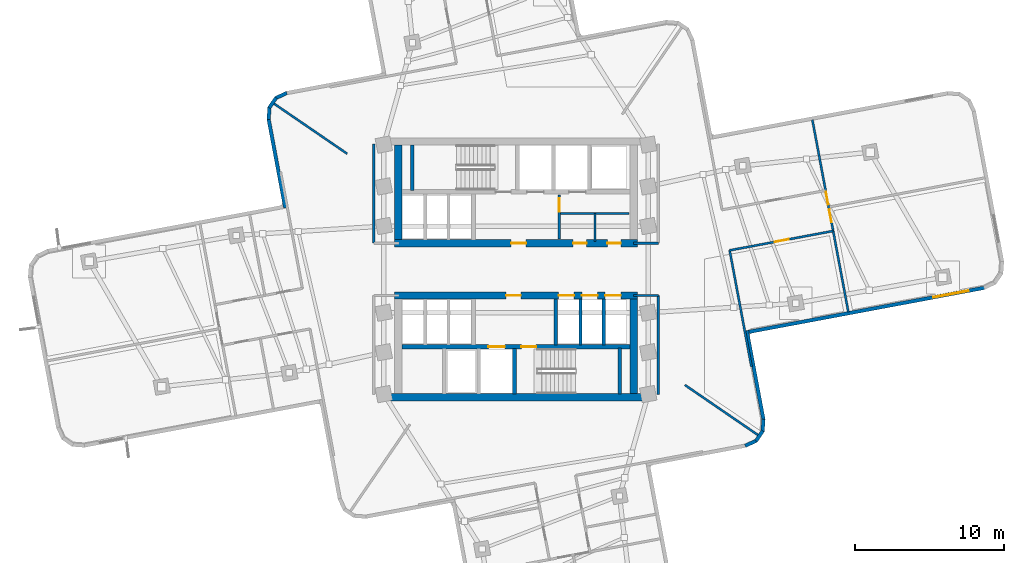
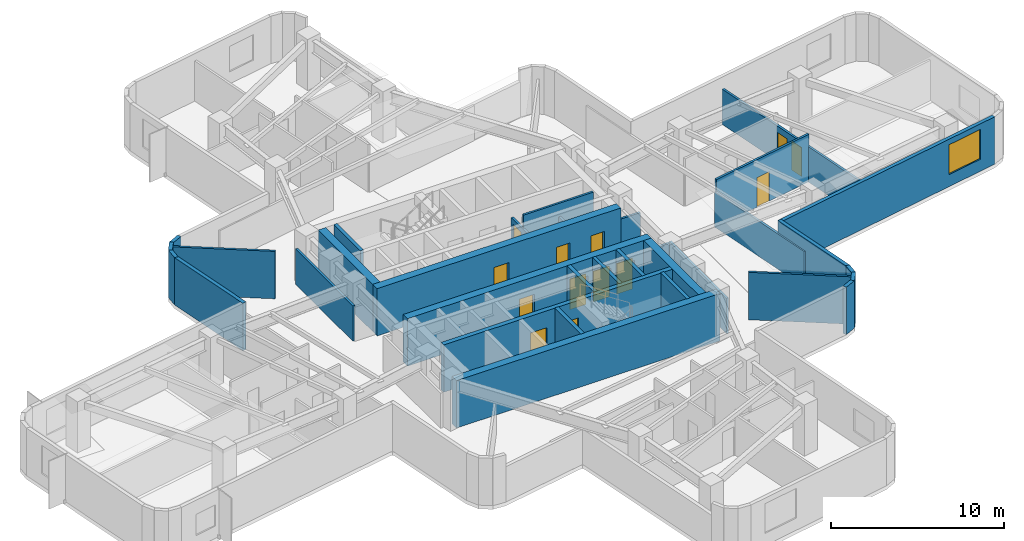
# One storey, part 4 of 9: 33 walls, 13 doors, 1 window, 14 openings.
"""IFC4 building model written with IfcOpenShell, lengths in metres."""

from ifc_helpers import new_model, si_unit, direction, frame, frame_2d, origin, place, context, subcontext, project, spatial, rectangle, extrude, material, layer, layer_set, type_object, element, fill, save


model = new_model("IFC4")

# Units and contexts
model_context = context("Model", 3, precision=1e-05, world=origin(), true_north=direction((0.0, 1.0)))
body_context = subcontext(model_context, "Body", "Model", "MODEL_VIEW")
ifc_project = project(units=[si_unit("LENGTHUNIT", "METRE"), si_unit("AREAUNIT", "SQUARE_METRE"), si_unit("VOLUMEUNIT", "CUBIC_METRE"), si_unit("PLANEANGLEUNIT", "RADIAN"), si_unit("MASSUNIT", "GRAM", prefix="KILO")], contexts=[model_context])

# Site, building, storey
site_placement = place(None, origin())
site = spatial("IfcSite", under=ifc_project, at=site_placement, CompositionType="ELEMENT")
building_placement = place(site_placement, origin())
building = spatial("IfcBuilding", under=site, at=building_placement, Name="Solmarez Civic Tower", CompositionType="ELEMENT")
storey_placement = place(building_placement, frame((0.0, 0.0, 100.080078125)))
storey = spatial("IfcBuildingStorey", under=building, at=storey_placement, Name="L26", CompositionType="ELEMENT", Elevation=100.080078125)

# Wall, openings, doors
ifc_material_1 = material(Name="Concrete C60/75", Category="concrete")
ifc_layer_1 = layer(ifc_material_1, 0.5)
ifc_layer_set_1 = layer_set([ifc_layer_1], Name="Concrete C60/75")
wall_type_1 = type_object("IfcWallType", Name="WALL-CORE-500", PredefinedType="SHEAR", material=ifc_layer_set_1)
wall_1_placement = place(storey_placement, frame((8.1201171875, 1.75, 0.0), z_axis=(0.0, 0.0, 1.0), x_axis=(-1.0, 0.0, 0.0)))
wall_1 = element("IfcWall", 1, at=wall_1_placement, inside=storey, type_object=wall_type_1, Name="L26 Split-Core Structural Wall NCW-S-L26", PredefinedType="SHEAR", context=body_context, shape_type="SweptSolid", body=[
    extrude(rectangle(XDim=16.240234375, YDim=0.5, at=frame_2d((8.1201171875, 0.0))), origin(), (0.0, 0.0, 1.0), 3.33984375),
])
opening_1_placement = place(wall_1_placement, frame((7.449951171875, 0.0, 0.0)))
opening_1 = element("IfcOpeningElement", 2, at=opening_1_placement, cuts=wall_1, Name="Opening D-04", PredefinedType="OPENING", context=body_context, shape_type="SweptSolid", body=[
    extrude(rectangle(XDim=1.0, YDim=2.10009765625, at=frame_2d((0.5, 1.050048828125))), frame((0.0, 0.260009765625, 0.0), z_axis=(0.0, -1.0, 0.0), x_axis=(1.0, 0.0, 0.0)), (0.0, 0.0, 1.0), 0.52001953125),
])
opening_2_placement = place(wall_1_placement, frame((3.39990234375, 0.0, 0.0)))
opening_2 = element("IfcOpeningElement", 3, at=opening_2_placement, cuts=wall_1, Name="Opening D-09", PredefinedType="OPENING", context=body_context, shape_type="SweptSolid", body=[
    extrude(rectangle(XDim=0.89990234375, YDim=2.06005859375, at=frame_2d((0.449951171875, 1.030029296875))), frame((0.0, 0.260009765625, 0.0), z_axis=(0.0, -1.0, 0.0), x_axis=(1.0, 0.0, 0.0)), (0.0, 0.0, 1.0), 0.52001953125),
])
opening_3_placement = place(wall_1_placement, frame((1.10009765625, 0.0, 0.0)))
opening_3 = element("IfcOpeningElement", 4, at=opening_3_placement, cuts=wall_1, Name="Opening D-09", PredefinedType="OPENING", context=body_context, shape_type="SweptSolid", body=[
    extrude(rectangle(XDim=0.89990234375, YDim=2.06005859375, at=frame_2d((0.449951171875, 1.030029296875))), frame((0.0, 0.260009765625, 0.0), z_axis=(0.0, -1.0, 0.0), x_axis=(1.0, 0.0, 0.0)), (0.0, 0.0, 1.0), 0.52001953125),
])
ifc_material_2 = material(Name="Steel-Faced Acoustic Fire Door", Category="steel")
door_type_1 = type_object("IfcDoorType", Name="DOOR-FD60-1000", OperationType="NOTDEFINED", PredefinedType="DOOR", material=ifc_material_2)
door_1_placement = place(opening_1_placement, origin())
door_1 = element("IfcDoor", 5, at=door_1_placement, inside=storey, type_object=door_type_1, Name="L26 North Firefighting Lobby Door", OperationType="SINGLE_SWING_LEFT", OverallHeight=2.10009765625, OverallWidth=1.0, PredefinedType="DOOR", context=body_context, shape_type="SweptSolid", body=[
    extrude(rectangle(XDim=1.0, YDim=2.10009765625, at=frame_2d((0.5, 1.050048828125))), frame((0.0, 0.02490234375, 0.0), z_axis=(0.0, -1.0, 0.0), x_axis=(1.0, 0.0, 0.0)), (0.0, 0.0, 1.0), 0.050048828125),
])
fill(opening_1, door_1)
ifc_material_3 = material(Name="Fire-Rated Service Core Door", Category="wood")
door_type_2 = type_object("IfcDoorType", Name="DOOR-FD60-900", OperationType="NOTDEFINED", PredefinedType="DOOR", material=ifc_material_3)
door_2_placement = place(opening_2_placement, origin())
door_2 = element("IfcDoor", 6, at=door_2_placement, inside=storey, type_object=door_type_2, Name="L26 Core WC Door", OperationType="SINGLE_SWING_LEFT", OverallHeight=2.06005859375, OverallWidth=0.89990234375, PredefinedType="DOOR", context=body_context, shape_type="SweptSolid", body=[
    extrude(rectangle(XDim=0.89990234375, YDim=2.06005859375, at=frame_2d((0.449951171875, 1.030029296875))), frame((0.0, 0.02490234375, 0.0), z_axis=(0.0, -1.0, 0.0), x_axis=(1.0, 0.0, 0.0)), (0.0, 0.0, 1.0), 0.050048828125),
])
fill(opening_2, door_2)
door_3_placement = place(opening_3_placement, origin())
door_3 = element("IfcDoor", 7, at=door_3_placement, inside=storey, type_object=door_type_2, Name="L26 Core CL Door", OperationType="SINGLE_SWING_RIGHT", OverallHeight=2.06005859375, OverallWidth=0.89990234375, PredefinedType="DOOR", context=body_context, shape_type="SweptSolid", body=[
    extrude(rectangle(XDim=0.89990234375, YDim=2.06005859375, at=frame_2d((0.449951171875, 1.030029296875))), frame((0.0, 0.02490234375, 0.0), z_axis=(0.0, -1.0, 0.0), x_axis=(1.0, 0.0, 0.0)), (0.0, 0.0, 1.0), 0.050048828125),
])
fill(opening_3, door_3)

# Walls
wall_2_placement = place(storey_placement, frame((-7.8701171875, 2.0, 0.0), z_axis=(0.0, 0.0, 1.0), x_axis=(0.0, 1.0, 0.0)))
element("IfcWall", 8, at=wall_2_placement, inside=storey, type_object=wall_type_1, Name="L26 Split-Core Structural Wall NCW-W-L26", PredefinedType="SHEAR", context=body_context, shape_type="SweptSolid", body=[
    extrude(rectangle(XDim=6.31005859375, YDim=0.5, at=frame_2d((3.155029296875, 0.0))), origin(), (0.0, 0.0, 1.0), 3.33984375),
])
wall_3_placement = place(storey_placement, frame((8.780029296875, -8.56005859375, 0.0), z_axis=(0.0, 0.0, 1.0), x_axis=(-1.0, 0.0, 0.0)))
element("IfcWall", 9, at=wall_3_placement, inside=storey, type_object=wall_type_1, Name="L26 Split-Core Structural Wall SCW-S-L26", PredefinedType="SHEAR", context=body_context, shape_type="SweptSolid", body=[
    extrude(rectangle(XDim=17.56005859375, YDim=0.5, at=frame_2d((8.780029296875, 0.0))), origin(), (0.0, 0.0, 1.0), 3.33984375),
])

# Wall, openings, doors
wall_4_placement = place(storey_placement, frame((-8.1201171875, -1.75, 0.0), z_axis=(0.0, 0.0, 1.0), x_axis=(1.0, 0.0, 0.0)))
wall_4 = element("IfcWall", 10, at=wall_4_placement, inside=storey, type_object=wall_type_1, Name="L26 Split-Core Structural Wall SCW-N-L26", PredefinedType="SHEAR", context=body_context, shape_type="SweptSolid", body=[
    extrude(rectangle(XDim=16.240234375, YDim=0.5, at=frame_2d((8.1201171875, 0.0))), origin(), (0.0, 0.0, 1.0), 3.33984375),
])
opening_4_placement = place(wall_4_placement, frame((7.449951171875, 0.0, 0.0)))
opening_4 = element("IfcOpeningElement", 11, at=opening_4_placement, cuts=wall_4, Name="Opening D-04", PredefinedType="OPENING", context=body_context, shape_type="SweptSolid", body=[
    extrude(rectangle(XDim=1.0, YDim=2.10009765625, at=frame_2d((0.5, 1.050048828125))), frame((0.0, 0.260009765625, 0.0), z_axis=(0.0, -1.0, 0.0), x_axis=(1.0, 0.0, 0.0)), (0.0, 0.0, 1.0), 0.52001953125),
])
opening_5_placement = place(wall_4_placement, frame((10.965087890625, 0.0, 0.0)))
opening_5 = element("IfcOpeningElement", 12, at=opening_5_placement, cuts=wall_4, Name="Opening LD-01", PredefinedType="OPENING", context=body_context, shape_type="SweptSolid", body=[
    extrude(rectangle(XDim=1.050048828125, YDim=2.14990234375, at=frame_2d((0.52490234375, 1.074951171875))), frame((0.0, 0.260009765625, 0.0), z_axis=(0.0, -1.0, 0.0), x_axis=(1.0, 0.0, 0.0)), (0.0, 0.0, 1.0), 0.52001953125),
])
opening_6_placement = place(wall_4_placement, frame((12.52490234375, 0.0, 0.0)))
opening_6 = element("IfcOpeningElement", 13, at=opening_6_placement, cuts=wall_4, Name="Opening LD-01", PredefinedType="OPENING", context=body_context, shape_type="SweptSolid", body=[
    extrude(rectangle(XDim=1.050048828125, YDim=2.14990234375, at=frame_2d((0.52490234375, 1.074951171875))), frame((0.0, 0.260009765625, 0.0), z_axis=(0.0, -1.0, 0.0), x_axis=(1.0, 0.0, 0.0)), (0.0, 0.0, 1.0), 0.52001953125),
])
opening_7_placement = place(wall_4_placement, frame((14.0849609375, 0.0, 0.0)))
opening_7 = element("IfcOpeningElement", 14, at=opening_7_placement, cuts=wall_4, Name="Opening LD-01", PredefinedType="OPENING", context=body_context, shape_type="SweptSolid", body=[
    extrude(rectangle(XDim=1.050048828125, YDim=2.14990234375, at=frame_2d((0.52490234375, 1.074951171875))), frame((0.0, 0.260009765625, 0.0), z_axis=(0.0, -1.0, 0.0), x_axis=(1.0, 0.0, 0.0)), (0.0, 0.0, 1.0), 0.52001953125),
])
door_4_placement = place(opening_4_placement, origin())
door_4 = element("IfcDoor", 15, at=door_4_placement, inside=storey, type_object=door_type_1, Name="L26 South Firefighting Lobby Door", OperationType="SINGLE_SWING_RIGHT", OverallHeight=2.10009765625, OverallWidth=1.0, PredefinedType="DOOR", context=body_context, shape_type="SweptSolid", body=[
    extrude(rectangle(XDim=1.0, YDim=2.10009765625, at=frame_2d((0.5, 1.050048828125))), frame((0.0, 0.02490234375, 0.0), z_axis=(0.0, -1.0, 0.0), x_axis=(1.0, 0.0, 0.0)), (0.0, 0.0, 1.0), 0.050048828125),
])
fill(opening_4, door_4)
ifc_material_4 = material(Name="Bronze Passenger Lift Landing Sliding Door", Category="aluminium")
door_type_3 = type_object("IfcDoorType", Name="DOOR-LD-PAX-1050", OperationType="DOUBLE_DOOR_SLIDING", PredefinedType="DOOR", material=ifc_material_4)
door_5_placement = place(opening_5_placement, origin())
door_5 = element("IfcDoor", 16, at=door_5_placement, inside=storey, type_object=door_type_3, Name="L26 Low-Rise Lift Landing Door PL-L1", OperationType="DOUBLE_DOOR_SLIDING", OverallHeight=2.14990234375, OverallWidth=1.050048828125, PredefinedType="DOOR", context=body_context, shape_type="SweptSolid", body=[
    extrude(rectangle(XDim=1.050048828125, YDim=2.14990234375, at=frame_2d((0.52490234375, 1.074951171875))), frame((0.0, 0.02490234375, 0.0), z_axis=(0.0, -1.0, 0.0), x_axis=(1.0, 0.0, 0.0)), (0.0, 0.0, 1.0), 0.050048828125),
])
fill(opening_5, door_5)
door_6_placement = place(opening_6_placement, origin())
door_6 = element("IfcDoor", 17, at=door_6_placement, inside=storey, type_object=door_type_3, Name="L26 Low-Rise Lift Landing Door PL-L2", OperationType="DOUBLE_DOOR_SLIDING", OverallHeight=2.14990234375, OverallWidth=1.050048828125, PredefinedType="DOOR", context=body_context, shape_type="SweptSolid", body=[
    extrude(rectangle(XDim=1.050048828125, YDim=2.14990234375, at=frame_2d((0.52490234375, 1.074951171875))), frame((0.0, 0.02490234375, 0.0), z_axis=(0.0, -1.0, 0.0), x_axis=(1.0, 0.0, 0.0)), (0.0, 0.0, 1.0), 0.050048828125),
])
fill(opening_6, door_6)
door_7_placement = place(opening_7_placement, origin())
door_7 = element("IfcDoor", 18, at=door_7_placement, inside=storey, type_object=door_type_3, Name="L26 Low-Rise Lift Landing Door PL-L3", OperationType="DOUBLE_DOOR_SLIDING", OverallHeight=2.14990234375, OverallWidth=1.050048828125, PredefinedType="DOOR", context=body_context, shape_type="SweptSolid", body=[
    extrude(rectangle(XDim=1.050048828125, YDim=2.14990234375, at=frame_2d((0.52490234375, 1.074951171875))), frame((0.0, 0.02490234375, 0.0), z_axis=(0.0, -1.0, 0.0), x_axis=(1.0, 0.0, 0.0)), (0.0, 0.0, 1.0), 0.050048828125),
])
fill(opening_7, door_7)

# Walls
wall_5_placement = place(storey_placement, frame((7.8701171875, -2.0, 0.0), z_axis=(0.0, 0.0, 1.0), x_axis=(0.0, -1.0, 0.0)))
element("IfcWall", 19, at=wall_5_placement, inside=storey, type_object=wall_type_1, Name="L26 Split-Core Structural Wall SCW-E-L26", PredefinedType="SHEAR", context=body_context, shape_type="SweptSolid", body=[
    extrude(rectangle(XDim=6.31005859375, YDim=0.5, at=frame_2d((3.155029296875, 0.0))), origin(), (0.0, 0.0, 1.0), 3.33984375),
])
ifc_material_5 = material(Name="Precast concrete C40/50", Category="concrete")
ifc_layer_2 = layer(ifc_material_5, 0.239990234375)
ifc_layer_set_2 = layer_set([ifc_layer_2], Name="Precast concrete C40/50")
wall_type_2 = type_object("IfcWallType", Name="WALL-EXT-240", PredefinedType="SOLIDWALL", material=ifc_layer_set_2)
wall_6_placement = place(storey_placement, frame((-15.449951171875, 4.113037109375, 0.0), z_axis=(0.0, 0.0, 1.0), x_axis=(-0.18406771587, 0.982913564854, 0.0)))
element("IfcWall", 20, at=wall_6_placement, inside=storey, type_object=wall_type_2, Name="L26 Exterior Precast Wall 13", PredefinedType="SOLIDWALL", context=body_context, shape_type="SweptSolid", body=[
    extrude(rectangle(XDim=6.07470703125, YDim=0.239990234375, at=frame_2d((3.037353515625, 0.0))), origin(), (0.0, 0.0, 1.0), 3.33984375),
])
wall_7_placement = place(storey_placement, frame((-16.56494140625, 10.033935546875, 0.0), z_axis=(0.0, 0.0, 1.0), x_axis=(0.077011179273, 0.997030229365, 0.0)))
element("IfcWall", 21, at=wall_7_placement, inside=storey, type_object=wall_type_2, Name="L26 Exterior Precast Wall 14", PredefinedType="SOLIDWALL", context=body_context, shape_type="SweptSolid", body=[
    extrude(rectangle(XDim=0.83056640625, YDim=0.239990234375, at=frame_2d((0.415283203125, 0.0))), origin(), (0.0, 0.0, 1.0), 3.33984375),
])
wall_8_placement = place(storey_placement, frame((-16.51708984375, 10.81591796875, 0.0), z_axis=(0.0, 0.0, 1.0), x_axis=(0.563941688624, 0.825814611055, 0.0)))
element("IfcWall", 22, at=wall_8_placement, inside=storey, type_object=wall_type_2, Name="L26 Exterior Precast Wall 15", PredefinedType="SOLIDWALL", context=body_context, shape_type="SweptSolid", body=[
    extrude(rectangle(XDim=0.81396484375, YDim=0.239990234375, at=frame_2d((0.406982421875, 0.0))), origin(), (0.0, 0.0, 1.0), 3.33984375),
])
wall_9_placement = place(storey_placement, frame((-16.094970703125, 11.4560546875, 0.0), z_axis=(0.0, 0.0, 1.0), x_axis=(0.902044756706, 0.431642510533, 0.0)))
element("IfcWall", 23, at=wall_9_placement, inside=storey, type_object=wall_type_2, Name="L26 Exterior Precast Wall 16", PredefinedType="SOLIDWALL", context=body_context, shape_type="SweptSolid", body=[
    extrude(rectangle(XDim=0.83154296875, YDim=0.239990234375, at=frame_2d((0.415771484375, 0.0))), origin(), (0.0, 0.0, 1.0), 3.33984375),
])

# Wall, opening, window
wall_10_placement = place(storey_placement, frame((31.37109375, -1.22998046875, 0.0), z_axis=(0.0, 0.0, 1.0), x_axis=(-0.982920382654, -0.18403130539, 0.0)))
wall_10 = element("IfcWall", 24, at=wall_10_placement, inside=storey, type_object=wall_type_2, Name="L26 Exterior Precast Wall 46", PredefinedType="SOLIDWALL", context=body_context, shape_type="SweptSolid", body=[
    extrude(rectangle(XDim=16.275146484375, YDim=0.239990234375, at=frame_2d((8.1376953125, 0.0))), origin(), (0.0, 0.0, 1.0), 3.33984375),
])
opening_8_placement = place(wall_10_placement, frame((1.10009765625, 0.0, 0.85009765625)))
opening_8 = element("IfcOpeningElement", 25, at=opening_8_placement, cuts=wall_10, Name="Opening W-02", PredefinedType="OPENING", context=body_context, shape_type="SweptSolid", body=[
    extrude(rectangle(XDim=2.39990234375, YDim=2.10009765625, at=frame_2d((1.199951171875, 1.050048828125))), frame((0.0, 0.1298828125, 0.0), z_axis=(0.0, -1.0, 0.0), x_axis=(1.0, 0.0, 0.0)), (0.0, 0.0, 1.0), 0.260009765625),
])
ifc_material_6 = material(Name="Solar Control Bronze-Tinted Insulating Glass", Category="glass")
window_type = type_object("IfcWindowType", Name="WIN-2400X2100", PartitioningType="SINGLE_PANEL", PredefinedType="WINDOW", material=ifc_material_6)
window_placement = place(opening_8_placement, origin())
window = element("IfcWindow", 26, at=window_placement, inside=storey, type_object=window_type, Name="L26 Exterior Facade Window 46", OverallHeight=2.10009765625, OverallWidth=2.39990234375, PartitioningType="SINGLE_PANEL", PredefinedType="WINDOW", context=body_context, shape_type="SweptSolid", body=[
    extrude(rectangle(XDim=2.39990234375, YDim=2.10009765625, at=frame_2d((1.199951171875, 1.050048828125))), frame((0.0, 0.030029296875, 0.0), z_axis=(0.0, -1.0, 0.0), x_axis=(1.0, 0.0, 0.0)), (0.0, 0.0, 1.0), 0.06005859375),
])
fill(opening_8, window)

# Walls
wall_11_placement = place(storey_placement, frame((15.449951171875, -4.113037109375, 0.0), z_axis=(0.0, 0.0, 1.0), x_axis=(0.18406771587, -0.982913564854, 0.0)))
element("IfcWall", 27, at=wall_11_placement, inside=storey, type_object=wall_type_2, Name="L26 Exterior Precast Wall 49", PredefinedType="SOLIDWALL", context=body_context, shape_type="SweptSolid", body=[
    extrude(rectangle(XDim=6.07470703125, YDim=0.239990234375, at=frame_2d((3.037353515625, 0.0))), origin(), (0.0, 0.0, 1.0), 3.33984375),
])
wall_12_placement = place(storey_placement, frame((16.56494140625, -10.033935546875, 0.0), z_axis=(0.0, 0.0, 1.0), x_axis=(-0.077011179273, -0.997030229365, 0.0)))
element("IfcWall", 28, at=wall_12_placement, inside=storey, type_object=wall_type_2, Name="L26 Exterior Precast Wall 50", PredefinedType="SOLIDWALL", context=body_context, shape_type="SweptSolid", body=[
    extrude(rectangle(XDim=0.83056640625, YDim=0.239990234375, at=frame_2d((0.415283203125, 0.0))), origin(), (0.0, 0.0, 1.0), 3.33984375),
])
wall_13_placement = place(storey_placement, frame((16.51708984375, -10.81591796875, 0.0), z_axis=(0.0, 0.0, 1.0), x_axis=(-0.563941688624, -0.825814611055, 0.0)))
element("IfcWall", 29, at=wall_13_placement, inside=storey, type_object=wall_type_2, Name="L26 Exterior Precast Wall 51", PredefinedType="SOLIDWALL", context=body_context, shape_type="SweptSolid", body=[
    extrude(rectangle(XDim=0.81396484375, YDim=0.239990234375, at=frame_2d((0.406982421875, 0.0))), origin(), (0.0, 0.0, 1.0), 3.33984375),
])
wall_14_placement = place(storey_placement, frame((16.094970703125, -11.4560546875, 0.0), z_axis=(0.0, 0.0, 1.0), x_axis=(-0.902044756706, -0.431642510533, 0.0)))
element("IfcWall", 30, at=wall_14_placement, inside=storey, type_object=wall_type_2, Name="L26 Exterior Precast Wall 52", PredefinedType="SOLIDWALL", context=body_context, shape_type="SweptSolid", body=[
    extrude(rectangle(XDim=0.83154296875, YDim=0.239990234375, at=frame_2d((0.415771484375, 0.0))), origin(), (0.0, 0.0, 1.0), 3.33984375),
])
ifc_material_7 = material(Name="Gypsum Board Acoustic Steel-Stud Partition", Category="steel")
ifc_layer_3 = layer(ifc_material_7, 0.14990234375)
ifc_layer_set_3 = layer_set([ifc_layer_3], Name="Gypsum Board Acoustic Steel-Stud Partition")
wall_type_3 = type_object("IfcWallType", Name="WALL-INT-FIRE-150", PredefinedType="PARTITIONING", material=ifc_layer_set_3)
wall_15_placement = place(storey_placement, frame((-9.52001953125, 1.75, 0.0), z_axis=(0.0, 0.0, 1.0), x_axis=(0.0, 1.0, 0.0)))
element("IfcWall", 31, at=wall_15_placement, inside=storey, type_object=wall_type_3, Name="L26 Interior Partition CHW-L26-WN1", PredefinedType="PARTITIONING", context=body_context, shape_type="SweptSolid", body=[
    extrude(rectangle(XDim=6.6298828125, YDim=0.14990234375, at=frame_2d((3.31494140625, 0.0))), origin(), (0.0, 0.0, 1.0), 2.48583984375),
])
wall_16_placement = place(storey_placement, frame((7.85009765625, 1.75, 0.0), z_axis=(0.0, 0.0, 1.0), x_axis=(1.0, 0.0, 0.0)))
element("IfcWall", 32, at=wall_16_placement, inside=storey, type_object=wall_type_3, Name="L26 Interior Partition CHW-L26-EN3", PredefinedType="PARTITIONING", context=body_context, shape_type="SweptSolid", body=[
    extrude(rectangle(XDim=1.669921875, YDim=0.14990234375, at=frame_2d((0.8349609375, 0.0))), origin(), (0.0, 0.0, 1.0), 2.405029296875),
])
wall_17_placement = place(storey_placement, frame((9.52001953125, -8.3798828125, 0.0), z_axis=(0.0, 0.0, 1.0), x_axis=(0.0, 1.0, 0.0)))
element("IfcWall", 33, at=wall_17_placement, inside=storey, type_object=wall_type_3, Name="L26 Interior Partition CHW-L26-ES1", PredefinedType="PARTITIONING", context=body_context, shape_type="SweptSolid", body=[
    extrude(rectangle(XDim=6.6298828125, YDim=0.14990234375, at=frame_2d((3.31494140625, 0.0))), origin(), (0.0, 0.0, 1.0), 2.48583984375),
])
wall_18_placement = place(storey_placement, frame((7.85009765625, -1.75, 0.0), z_axis=(0.0, 0.0, 1.0), x_axis=(1.0, 0.0, 0.0)))
element("IfcWall", 34, at=wall_18_placement, inside=storey, type_object=wall_type_3, Name="L26 Interior Partition CHW-L26-ES3", PredefinedType="PARTITIONING", context=body_context, shape_type="SweptSolid", body=[
    extrude(rectangle(XDim=1.669921875, YDim=0.14990234375, at=frame_2d((0.8349609375, 0.0))), origin(), (0.0, 0.0, 1.0), 2.405029296875),
])
ifc_layer_4 = layer(ifc_material_7, 0.14501953125)
ifc_layer_set_4 = layer_set([ifc_layer_4], Name="Gypsum Board Acoustic Steel-Stud Partition")
wall_type_4 = type_object("IfcWallType", Name="WALL-INT-PART-150", PredefinedType="PARTITIONING", material=ifc_layer_set_4)
for number, where, z_axis, x_axis, name in (
    (35, (-11.300048828125, 7.738037109375, 0.0), (0.0, 0.0, 1.0), (-0.825173577049, 0.564879250584, 0.0), "L26 Interior Partition PT-L26-QDIV-2"),
    (36, (11.300048828125, -7.738037109375, 0.0), (0.0, 0.0, 1.0), (0.825173577049, -0.564879250584, 0.0), "L26 Interior Partition PT-L26-QDIV-4"),
):
    element("IfcWall", number, at=place(storey_placement, frame(where, z_axis=z_axis, x_axis=x_axis)), inside=storey, type_object=wall_type_4, Name=name, PredefinedType="PARTITIONING", context=body_context, shape_type="SweptSolid", body=[
        extrude(rectangle(XDim=5.958740234375, YDim=0.14501953125, at=frame_2d((2.9794921875, 0.0))), origin(), (0.0, 0.0, 1.0), 3.33984375),
    ])
wall_19_placement = place(storey_placement, frame((15.760986328125, -6.531982421875, 0.0), z_axis=(0.0, 0.0, 1.0), x_axis=(-0.184017811376, 0.98292290903, 0.0)))
element("IfcWall", 37, at=wall_19_placement, inside=storey, type_object=wall_type_4, Name="L26 Interior Partition PT-L26-E-EFR", PredefinedType="PARTITIONING", context=body_context, shape_type="SweptSolid", body=[
    extrude(rectangle(XDim=7.94970703125, YDim=0.14501953125, at=frame_2d((3.974853515625, 0.0))), origin(), (0.0, 0.0, 1.0), 2.48583984375),
])

# Wall, opening, door
wall_20_placement = place(storey_placement, frame((14.300048828125, 1.27197265625, 0.0), z_axis=(0.0, 0.0, 1.0), x_axis=(0.98292976592, 0.183981181833, 0.0)))
wall_20 = element("IfcWall", 38, at=wall_20_placement, inside=storey, type_object=wall_type_4, Name="L26 Interior Partition PT-L26-E-SR", PredefinedType="PARTITIONING", context=body_context, shape_type="SweptSolid", body=[
    extrude(rectangle(XDim=7.05029296875, YDim=0.14501953125, at=frame_2d((3.525146484375, 0.0))), origin(), (0.0, 0.0, 1.0), 3.33984375),
])
opening_9_placement = place(wall_20_placement, frame((3.074951171875, 0.0, 0.0)))
opening_9 = element("IfcOpeningElement", 39, at=opening_9_placement, cuts=wall_20, Name="Opening D-10", PredefinedType="OPENING", context=body_context, shape_type="SweptSolid", body=[
    extrude(rectangle(XDim=0.949951171875, YDim=2.080078125, at=frame_2d((0.47509765625, 1.0400390625))), frame((0.0, 0.08251953125, 0.0), z_axis=(0.0, -1.0, 0.0), x_axis=(1.0, 0.0, 0.0)), (0.0, 0.0, 1.0), 0.1650390625),
])
ifc_material_8 = material(Name="Solid-Core Timber Ministry Office Door", Category="wood")
door_type_4 = type_object("IfcDoorType", Name="DOOR-INT-950", OperationType="NOTDEFINED", PredefinedType="DOOR", material=ifc_material_8)
door_8_placement = place(opening_9_placement, origin())
door_8 = element("IfcDoor", 40, at=door_8_placement, inside=storey, type_object=door_type_4, Name="L26 Counsel Administration Office East Door", OperationType="SINGLE_SWING_RIGHT", OverallHeight=2.080078125, OverallWidth=0.949951171875, PredefinedType="DOOR", context=body_context, shape_type="SweptSolid", body=[
    extrude(rectangle(XDim=0.949951171875, YDim=2.080078125, at=frame_2d((0.47509765625, 1.0400390625))), frame((0.0, 0.02490234375, 0.0), z_axis=(0.0, -1.0, 0.0), x_axis=(1.0, 0.0, 0.0)), (0.0, 0.0, 1.0), 0.050048828125),
])
fill(opening_9, door_8)

# Wall, openings, doors
wall_21_placement = place(storey_placement, frame((19.8359375, 10.014892578125, 0.0), z_axis=(0.0, 0.0, 1.0), x_axis=(0.183949578206, -0.982935680845, 0.0)))
wall_21 = element("IfcWall", 41, at=wall_21_placement, inside=storey, type_object=wall_type_4, Name="L26 Interior Partition PT-L26-E-END", PredefinedType="PARTITIONING", context=body_context, shape_type="SweptSolid", body=[
    extrude(rectangle(XDim=13.09033203125, YDim=0.14501953125, at=frame_2d((6.545166015625, 0.0))), origin(), (0.0, 0.0, 1.0), 2.48583984375),
])
opening_10_placement = place(wall_21_placement, frame((6.114990234375, 0.0, 0.0)))
opening_10 = element("IfcOpeningElement", 42, at=opening_10_placement, cuts=wall_21, Name="Opening D-14", PredefinedType="OPENING", context=body_context, shape_type="SweptSolid", body=[
    extrude(rectangle(XDim=0.860107421875, YDim=2.0400390625, at=frame_2d((0.43017578125, 1.02001953125))), frame((0.0, 0.08251953125, 0.0), z_axis=(0.0, -1.0, 0.0), x_axis=(1.0, 0.0, 0.0)), (0.0, 0.0, 1.0), 0.1650390625),
])
opening_11_placement = place(wall_21_placement, frame((4.9150390625, 0.0, 0.0)))
opening_11 = element("IfcOpeningElement", 43, at=opening_11_placement, cuts=wall_21, Name="Opening D-14", PredefinedType="OPENING", context=body_context, shape_type="SweptSolid", body=[
    extrude(rectangle(XDim=0.860107421875, YDim=2.0400390625, at=frame_2d((0.43017578125, 1.02001953125))), frame((0.0, 0.08251953125, 0.0), z_axis=(0.0, -1.0, 0.0), x_axis=(1.0, 0.0, 0.0)), (0.0, 0.0, 1.0), 0.1650390625),
])
ifc_material_9 = material(Name="Timber Storage and Pantry Door", Category="wood")
door_type_5 = type_object("IfcDoorType", Name="DOOR-INT-850", OperationType="NOTDEFINED", PredefinedType="DOOR", material=ifc_material_9)
door_9_placement = place(opening_10_placement, origin())
door_9 = element("IfcDoor", 44, at=door_9_placement, inside=storey, type_object=door_type_5, Name="L26 Delegates Lounge Sixth East Door", OperationType="SINGLE_SWING_RIGHT", OverallHeight=2.0400390625, OverallWidth=0.860107421875, PredefinedType="DOOR", context=body_context, shape_type="SweptSolid", body=[
    extrude(rectangle(XDim=0.860107421875, YDim=2.0400390625, at=frame_2d((0.43017578125, 1.02001953125))), frame((0.0, 0.02490234375, 0.0), z_axis=(0.0, -1.0, 0.0), x_axis=(1.0, 0.0, 0.0)), (0.0, 0.0, 1.0), 0.050048828125),
])
fill(opening_10, door_9)
door_10_placement = place(opening_11_placement, origin())
door_10 = element("IfcDoor", 45, at=door_10_placement, inside=storey, type_object=door_type_5, Name="L26 Public Reading Room Fifth East Door", OperationType="SINGLE_SWING_LEFT", OverallHeight=2.0400390625, OverallWidth=0.860107421875, PredefinedType="DOOR", context=body_context, shape_type="SweptSolid", body=[
    extrude(rectangle(XDim=0.860107421875, YDim=2.0400390625, at=frame_2d((0.43017578125, 1.02001953125))), frame((0.0, 0.02490234375, 0.0), z_axis=(0.0, -1.0, 0.0), x_axis=(1.0, 0.0, 0.0)), (0.0, 0.0, 1.0), 0.050048828125),
])
fill(opening_11, door_10)

# Wall, opening, door
ifc_layer_5 = layer(ifc_material_7, 0.159912109375)
ifc_layer_set_5 = layer_set([ifc_layer_5], Name="Gypsum Board Acoustic Steel-Stud Partition")
wall_type_5 = type_object("IfcWallType", Name="WALL-INT-SHAFT-160", PredefinedType="PARTITIONING", material=ifc_layer_set_5)
wall_22_placement = place(storey_placement, frame((2.89990234375, 2.0400390625, 0.0), z_axis=(0.0, 0.0, 1.0), x_axis=(0.0, 1.0, 0.0)))
wall_22 = element("IfcWall", 46, at=wall_22_placement, inside=storey, type_object=wall_type_5, Name="L26 Interior Partition SHW-NL2-L26", PredefinedType="PARTITIONING", context=body_context, shape_type="SweptSolid", body=[
    extrude(rectangle(XDim=2.93994140625, YDim=0.159912109375, at=frame_2d((1.469970703125, 0.0))), origin(), (0.0, 0.0, 1.0), 2.405029296875),
])
opening_12_placement = place(wall_22_placement, frame((1.820068359375, 0.0, 0.0)))
opening_12 = element("IfcOpeningElement", 47, at=opening_12_placement, cuts=wall_22, Name="Opening D-09", PredefinedType="OPENING", context=body_context, shape_type="SweptSolid", body=[
    extrude(rectangle(XDim=0.89990234375, YDim=2.06005859375, at=frame_2d((0.449951171875, 1.030029296875))), frame((0.0, 0.08984375, 0.0), z_axis=(0.0, -1.0, 0.0), x_axis=(1.0, 0.0, 0.0)), (0.0, 0.0, 1.0), 0.179931640625),
])
door_11_placement = place(opening_12_placement, origin())
door_11 = element("IfcDoor", 48, at=door_11_placement, inside=storey, type_object=door_type_2, Name="L26 Service Lift Lobby Door", OperationType="SINGLE_SWING_LEFT", OverallHeight=2.06005859375, OverallWidth=0.89990234375, PredefinedType="DOOR", context=body_context, shape_type="SweptSolid", body=[
    extrude(rectangle(XDim=0.89990234375, YDim=2.06005859375, at=frame_2d((0.449951171875, 1.030029296875))), frame((0.0, 0.02490234375, 0.0), z_axis=(0.0, -1.0, 0.0), x_axis=(1.0, 0.0, 0.0)), (0.0, 0.0, 1.0), 0.050048828125),
])
fill(opening_12, door_11)

# Walls
ifc_layer_6 = layer(ifc_material_7, 0.137939453125)
ifc_layer_set_6 = layer_set([ifc_layer_6], Name="Gypsum Board Acoustic Steel-Stud Partition")
wall_type_6 = type_object("IfcWallType", Name="WALL-INT-WET-140", PredefinedType="PARTITIONING", material=ifc_layer_set_6)
wall_23_placement = place(storey_placement, frame((2.89990234375, 3.739990234375, 0.0), z_axis=(0.0, 0.0, 1.0), x_axis=(1.0, 0.0, 0.0)))
element("IfcWall", 49, at=wall_23_placement, inside=storey, type_object=wall_type_6, Name="L26 Interior Partition SHW-SVH-L26", PredefinedType="PARTITIONING", context=body_context, shape_type="SweptSolid", body=[
    extrude(rectangle(XDim=4.650146484375, YDim=0.137939453125, at=frame_2d((2.3251953125, 0.0))), origin(), (0.0, 0.0, 1.0), 3.33984375),
])
wall_24_placement = place(storey_placement, frame((5.300048828125, 1.85009765625, 0.0), z_axis=(0.0, 0.0, 1.0), x_axis=(0.0, 1.0, 0.0)))
element("IfcWall", 50, at=wall_24_placement, inside=storey, type_object=wall_type_6, Name="L26 Interior Partition PT-NCSV-L26", PredefinedType="PARTITIONING", context=body_context, shape_type="SweptSolid", body=[
    extrude(rectangle(XDim=1.889892578125, YDim=0.137939453125, at=frame_2d((0.94482421875, 0.0))), origin(), (0.0, 0.0, 1.0), 2.405029296875),
])

# Wall, openings, doors
ifc_material_10 = material(Name="Concrete C50/60", Category="concrete")
ifc_layer_7 = layer(ifc_material_10, 0.300048828125)
ifc_layer_set_7 = layer_set([ifc_layer_7], Name="Concrete C50/60")
wall_type_7 = type_object("IfcWallType", Name="WALL-STR-300", PredefinedType="SOLIDWALL", material=ifc_layer_set_7)
wall_25_placement = place(storey_placement, frame((-7.6201171875, -5.179931640625, 0.0), z_axis=(0.0, 0.0, 1.0), x_axis=(1.0, 0.0, 0.0)))
wall_25 = element("IfcWall", 51, at=wall_25_placement, inside=storey, type_object=wall_type_7, Name="L26 Split-Core Structural Wall SCW-M-L26", PredefinedType="SOLIDWALL", context=body_context, shape_type="SweptSolid", body=[
    extrude(rectangle(XDim=15.240234375, YDim=0.300048828125, at=frame_2d((7.6201171875, 0.0))), origin(), (0.0, 0.0, 1.0), 3.33984375),
])
opening_13_placement = place(wall_25_placement, frame((5.77001953125, 0.0, 0.0)))
opening_13 = element("IfcOpeningElement", 52, at=opening_13_placement, cuts=wall_25, Name="Opening LD-02", PredefinedType="OPENING", context=body_context, shape_type="SweptSolid", body=[
    extrude(rectangle(XDim=1.10009765625, YDim=2.14990234375, at=frame_2d((0.550048828125, 1.074951171875))), frame((0.0, 0.159912109375, 0.0), z_axis=(0.0, -1.0, 0.0), x_axis=(1.0, 0.0, 0.0)), (0.0, 0.0, 1.0), 0.320068359375),
])
opening_14_placement = place(wall_25_placement, frame((7.969970703125, 0.0, 0.0)))
opening_14 = element("IfcOpeningElement", 53, at=opening_14_placement, cuts=wall_25, Name="Opening D-05", PredefinedType="OPENING", context=body_context, shape_type="SweptSolid", body=[
    extrude(rectangle(XDim=1.0, YDim=2.10009765625, at=frame_2d((0.5, 1.050048828125))), frame((0.0, 0.159912109375, 0.0), z_axis=(0.0, -1.0, 0.0), x_axis=(1.0, 0.0, 0.0)), (0.0, 0.0, 1.0), 0.320068359375),
])
ifc_material_11 = material(Name="Fire-Rated Stairwell Exit Door", Category="wood")
door_type_6 = type_object("IfcDoorType", Name="DOOR-FD90-1000", OperationType="NOTDEFINED", PredefinedType="DOOR", material=ifc_material_11)
door_12_placement = place(opening_14_placement, origin())
door_12 = element("IfcDoor", 54, at=door_12_placement, inside=storey, type_object=door_type_6, Name="L26 South Exit Stair Door ST-2", OperationType="SINGLE_SWING_RIGHT", OverallHeight=2.10009765625, OverallWidth=1.0, PredefinedType="DOOR", context=body_context, shape_type="SweptSolid", body=[
    extrude(rectangle(XDim=1.0, YDim=2.10009765625, at=frame_2d((0.5, 1.050048828125))), frame((0.0, 0.02490234375, 0.0), z_axis=(0.0, -1.0, 0.0), x_axis=(1.0, 0.0, 0.0)), (0.0, 0.0, 1.0), 0.050048828125),
])
fill(opening_14, door_12)
ifc_material_12 = material(Name="Stainless Firefighting Lift Landing Sliding Door", Category="aluminium")
door_type_7 = type_object("IfcDoorType", Name="DOOR-LD-FF-1100", OperationType="DOUBLE_DOOR_SLIDING", PredefinedType="DOOR", material=ifc_material_12)
door_13_placement = place(opening_13_placement, origin())
door_13 = element("IfcDoor", 55, at=door_13_placement, inside=storey, type_object=door_type_7, Name="L26 Firefighting Lift Landing Door FFL-2", OperationType="DOUBLE_DOOR_SLIDING", OverallHeight=2.14990234375, OverallWidth=1.10009765625, PredefinedType="DOOR", context=body_context, shape_type="SweptSolid", body=[
    extrude(rectangle(XDim=1.10009765625, YDim=2.14990234375, at=frame_2d((0.550048828125, 1.074951171875))), frame((0.0, 0.02490234375, 0.0), z_axis=(0.0, -1.0, 0.0), x_axis=(1.0, 0.0, 0.0)), (0.0, 0.0, 1.0), 0.050048828125),
])
fill(opening_13, door_13)

# Walls
for number, where, z_axis, x_axis, name in (
    (56, (-6.949951171875, 5.280029296875, 0.0), (0.0, 0.0, 1.0), (0.0, 1.0, 0.0), "L26 Split-Core Structural Wall SHW-NW-L26"),
    (57, (6.949951171875, -8.340087890625, 0.0), (0.0, 0.0, 1.0), (0.0, 1.0, 0.0), "L26 Split-Core Structural Wall SHW-SE-L26"),
):
    element("IfcWall", number, at=place(storey_placement, frame(where, z_axis=z_axis, x_axis=x_axis)), inside=storey, type_object=wall_type_7, Name=name, PredefinedType="SOLIDWALL", context=body_context, shape_type="SweptSolid", body=[
        extrude(rectangle(XDim=3.06005859375, YDim=0.219970703125, at=frame_2d((1.530029296875, 0.0))), origin(), (0.0, 0.0, 1.0), 3.33984375),
    ])
wall_26_placement = place(storey_placement, frame((-0.10009765625, -8.340087890625, 0.0), z_axis=(0.0, 0.0, 1.0), x_axis=(0.0, 1.0, 0.0)))
element("IfcWall", 58, at=wall_26_placement, inside=storey, type_object=wall_type_7, Name="L26 Split-Core Structural Wall SHW-S1-L26", PredefinedType="SOLIDWALL", context=body_context, shape_type="SweptSolid", body=[
    extrude(rectangle(XDim=3.0400390625, YDim=0.25, at=frame_2d((1.52001953125, 0.0))), origin(), (0.0, 0.0, 1.0), 3.33984375),
])
wall_27_placement = place(storey_placement, frame((2.64990234375, -5.050048828125, 0.0), z_axis=(0.0, 0.0, 1.0), x_axis=(0.0, 1.0, 0.0)))
element("IfcWall", 59, at=wall_27_placement, inside=storey, type_object=wall_type_7, Name="L26 Split-Core Structural Wall SHW-SL2-L26", PredefinedType="SOLIDWALL", context=body_context, shape_type="SweptSolid", body=[
    extrude(rectangle(XDim=3.070068359375, YDim=0.25, at=frame_2d((1.53515625, 0.0))), origin(), (0.0, 0.0, 1.0), 3.33984375),
])
for number, where, z_axis, x_axis, name in (
    (60, (4.320068359375, -5.050048828125, 0.0), (0.0, 0.0, 1.0), (0.0, 1.0, 0.0), "L26 Split-Core Structural Wall SHW-PLL-L26-1"),
    (61, (5.8798828125, -5.050048828125, 0.0), (0.0, 0.0, 1.0), (0.0, 1.0, 0.0), "L26 Split-Core Structural Wall SHW-PLL-L26-2"),
):
    element("IfcWall", number, at=place(storey_placement, frame(where, z_axis=z_axis, x_axis=x_axis)), inside=storey, type_object=wall_type_7, Name=name, PredefinedType="SOLIDWALL", context=body_context, shape_type="SweptSolid", body=[
        extrude(rectangle(XDim=3.070068359375, YDim=0.219970703125, at=frame_2d((1.53515625, 0.0))), origin(), (0.0, 0.0, 1.0), 3.33984375),
    ])

save(model, "model.ifc")
